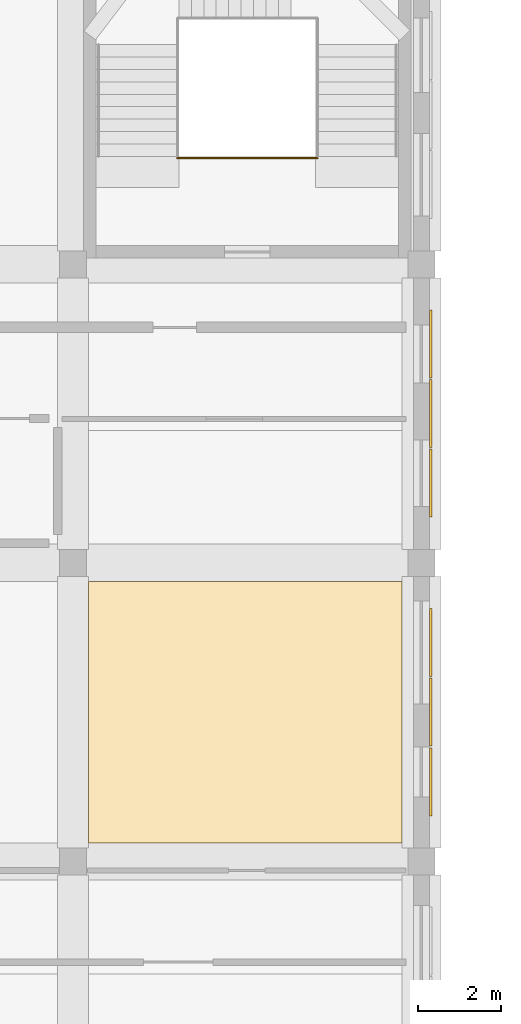
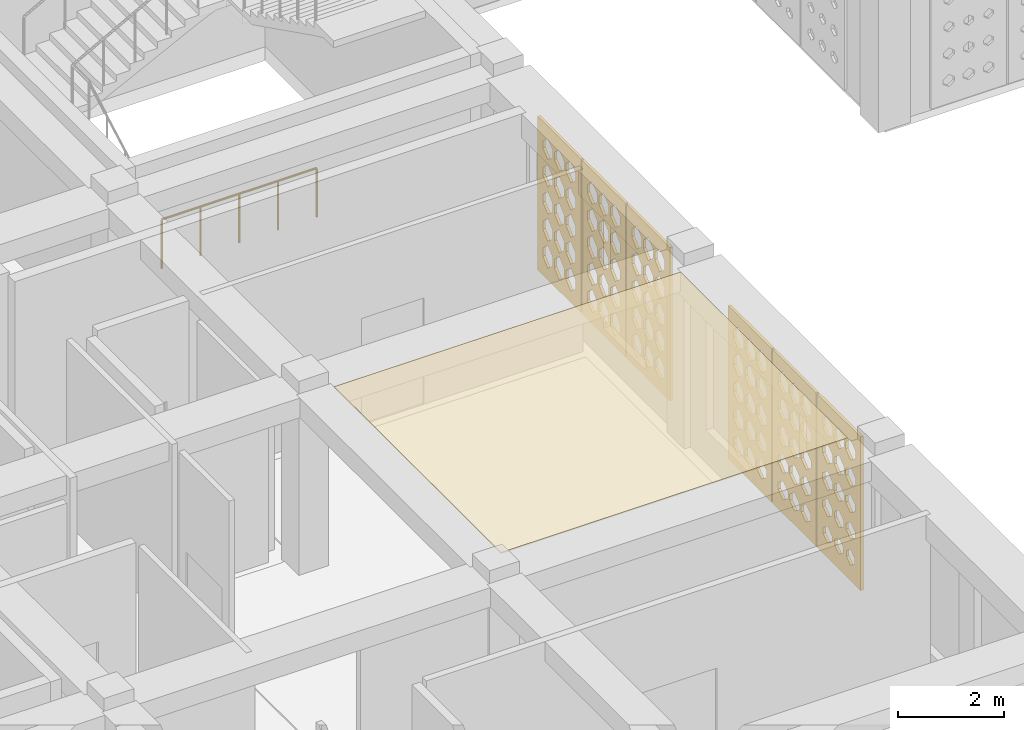
# One storey, part 24 of 47: 7 coverings, 1 railing.
"""IFC4 building model written with IfcOpenShell, lengths in metres."""

from ifc_helpers import new_model, si_unit, derived_unit, direction, frame, origin, origin_2d, place, context, subcontext, project, spatial, polyline, circle, outline, extrude, material, layer, layer_set, type_object, element, save


model = new_model("IFC4")

# Units and contexts
model_context = context("Model", 3, precision=1e-05, world=origin(), true_north=direction((0.0, 1.0)))
body_context = subcontext(model_context, "Body", "Model", "MODEL_VIEW")
ifc_project = project(units=[si_unit("LENGTHUNIT", "METRE"), si_unit("AREAUNIT", "SQUARE_METRE"), si_unit("VOLUMEUNIT", "CUBIC_METRE"), si_unit("PLANEANGLEUNIT", "RADIAN"), si_unit("MASSUNIT", "GRAM", prefix="KILO"), derived_unit("THERMALTRANSMITTANCEUNIT", [(si_unit("POWERUNIT", "WATT"), 1), (si_unit("LENGTHUNIT", "METRE"), -2), (si_unit("THERMODYNAMICTEMPERATUREUNIT", "KELVIN"), -1)])], contexts=[model_context])

# Site, building, storey
site_placement = place(None, origin())
site = spatial("IfcSite", under=ifc_project, at=site_placement, CompositionType="ELEMENT")
building_placement = place(site_placement, origin())
building = spatial("IfcBuilding", under=site, at=building_placement, Name="Veybourne Emporium", CompositionType="ELEMENT")
storey_placement = place(building_placement, frame((0.0, 0.0, 23.39990234375)))
storey = spatial("IfcBuildingStorey", under=building, at=storey_placement, Name="L05", CompositionType="ELEMENT", Elevation=23.39990234375)

# Covering
ifc_material_1 = material(Name="Mineral Acoustic Ceiling", Category="gypsum")
ifc_layer_1 = layer(ifc_material_1, 0.02490234375)
ifc_layer_set_1 = layer_set([ifc_layer_1], Name="Mineral Acoustic Ceiling")
covering_type_1 = type_object("IfcCoveringType", Name="Ceiling_CLG-01", PredefinedType="CEILING", material=ifc_layer_set_1)
covering_1_placement = place(storey_placement, frame((0.0, 0.0, 4.18505859375)))
element("IfcCovering", 1, at=covering_1_placement, inside=storey, type_object=covering_type_1, Name="L05 coffered acoustic ceiling 06", PredefinedType="CEILING", context=body_context, shape_type="SweptSolid", body=[
    extrude(outline(polyline([(42.373046875, 21.152099609375), (49.927001953125, 21.152099609375), (49.927001953125, 14.847900390625), (42.373046875, 14.847900390625), (42.373046875, 21.152099609375)])), origin(), (0.0, 0.0, 1.0), 0.025146484375),
])

# Railing
ifc_material_2 = material(Name="Brushed Stainless Steel", Category="steel")
railing_type = type_object("IfcRailingType", Name="Guard_GR-01", PredefinedType="GUARDRAIL", material=ifc_material_2)
railing_placement = place(storey_placement, frame((44.510009765625, 31.360107421875, 0.0)))
element("IfcRailing", 2, at=railing_placement, inside=storey, type_object=railing_type, Name="L05 ST-05 stair guard 4", PredefinedType="GUARDRAIL", context=body_context, shape_type="SweptSolid", body=[
    extrude(circle(Radius=0.02392578125, at=origin_2d()), frame((0.0, 0.0, 1.1259765625), z_axis=(1.0, 0.0, 0.0), x_axis=(0.0, 1.0, 0.0)), (0.0, 0.0, 1.0), 3.3798828125),
    extrude(circle(Radius=0.02099609375, at=origin_2d()), origin(), (0.0, 0.0, 1.0), 1.101806640625),
    extrude(circle(Radius=0.02099609375, at=origin_2d()), frame((0.844970703125, 0.0, 0.0)), (0.0, 0.0, 1.0), 1.101806640625),
    extrude(circle(Radius=0.02099609375, at=origin_2d()), frame((1.68994140625, 0.0, 0.0)), (0.0, 0.0, 1.0), 1.101806640625),
    extrude(circle(Radius=0.02099609375, at=origin_2d()), frame((2.534912109375, 0.0, 0.0)), (0.0, 0.0, 1.0), 1.101806640625),
    extrude(circle(Radius=0.02099609375, at=origin_2d()), frame((3.3798828125, 0.0, 0.0)), (0.0, 0.0, 1.0), 1.101806640625),
])

# Coverings
ifc_material_3 = material(Name="Warm-White Perforated Aluminium Screen Alloy", Category="aluminium")
ifc_layer_2 = layer(ifc_material_3, 0.06005859375)
ifc_layer_set_2 = layer_set([ifc_layer_2], Name="Warm-White Perforated Aluminium Screen Alloy")
covering_type_2 = type_object("IfcCoveringType", Name="WaveScreen_SCR-01", PredefinedType="CLADDING", material=ifc_layer_set_2)
covering_2_placement = place(storey_placement, frame((50.64794921875, 18.0, 1.830078125), z_axis=(-1.0, 0.0, 0.0), x_axis=(0.0, -1.0, 0.0)))
element("IfcCovering", 3, at=covering_2_placement, inside=storey, type_object=covering_type_2, Name="L05 wave-perforated aluminium screen SCR-01 (29.2)", PredefinedType="CLADDING", context=body_context, shape_type="SweptSolid", body=[
    extrude(outline(polyline([(-0.81982421875, -1.77001953125), (0.81982421875, -1.77001953125), (0.81982421875, 1.77001953125), (-0.81982421875, 1.77001953125), (-0.81982421875, -1.77001953125)]), holes=[polyline([(-0.433349609375, -1.0234375), (-0.2470703125, -1.162109375), (-0.2470703125, -1.318115234375), (-0.433349609375, -1.45654296875), (-0.61962890625, -1.318115234375), (-0.61962890625, -1.162109375), (-0.433349609375, -1.0234375)]), polyline([(-0.433349609375, -0.39013671875), (-0.2470703125, -0.537109375), (-0.2470703125, -0.702880859375), (-0.433349609375, -0.849853515625), (-0.61962890625, -0.702880859375), (-0.61962890625, -0.537109375), (-0.433349609375, -0.39013671875)]), polyline([(-0.433349609375, 0.241943359375), (-0.2470703125, 0.087158203125), (-0.2470703125, -0.087158203125), (-0.433349609375, -0.241943359375), (-0.61962890625, -0.087158203125), (-0.61962890625, 0.087158203125), (-0.433349609375, 0.241943359375)]), polyline([(-0.433349609375, 0.872802734375), (-0.2470703125, 0.7109375), (-0.2470703125, 0.529052734375), (-0.433349609375, 0.3671875), (-0.61962890625, 0.529052734375), (-0.61962890625, 0.7109375), (-0.433349609375, 0.872802734375)]), polyline([(-0.433349609375, 1.50146484375), (-0.2470703125, 1.334228515625), (-0.2470703125, 1.145751953125), (-0.433349609375, 0.978515625), (-0.61962890625, 1.145751953125), (-0.61962890625, 1.334228515625), (-0.433349609375, 1.50146484375)]), polyline([(0.0, -1.029541015625), (0.18212890625, -1.164306640625), (0.18212890625, -1.315673828125), (0.0, -1.450439453125), (-0.18212890625, -1.315673828125), (-0.18212890625, -1.164306640625), (0.0, -1.029541015625)]), polyline([(0.0, -0.39599609375), (0.186279296875, -0.539306640625), (0.186279296875, -0.70068359375), (0.0, -0.843994140625), (-0.186279296875, -0.70068359375), (-0.186279296875, -0.539306640625), (0.0, -0.39599609375)]), polyline([(0.0, 0.23681640625), (0.186279296875, 0.085205078125), (0.186279296875, -0.085205078125), (0.0, -0.23681640625), (-0.186279296875, -0.085205078125), (-0.186279296875, 0.085205078125), (0.0, 0.23681640625)]), polyline([(0.0, 0.8681640625), (0.186279296875, 0.709228515625), (0.186279296875, 0.53076171875), (0.0, 0.371826171875), (-0.186279296875, 0.53076171875), (-0.186279296875, 0.709228515625), (0.0, 0.8681640625)]), polyline([(0.0, 1.497802734375), (0.186279296875, 1.332763671875), (0.186279296875, 1.147216796875), (0.0, 0.982177734375), (-0.186279296875, 1.147216796875), (-0.186279296875, 1.332763671875), (0.0, 1.497802734375)]), polyline([(0.433349609375, -1.035888671875), (0.6103515625, -1.16650390625), (0.6103515625, -1.3134765625), (0.433349609375, -1.444091796875), (0.25634765625, -1.3134765625), (0.25634765625, -1.16650390625), (0.433349609375, -1.035888671875)]), polyline([(0.433349609375, -0.402099609375), (0.61962890625, -0.54150390625), (0.61962890625, -0.698486328125), (0.433349609375, -0.837890625), (0.2470703125, -0.698486328125), (0.2470703125, -0.54150390625), (0.433349609375, -0.402099609375)]), polyline([(0.433349609375, 0.231201171875), (0.61962890625, 0.083251953125), (0.61962890625, -0.083251953125), (0.433349609375, -0.231201171875), (0.2470703125, -0.083251953125), (0.2470703125, 0.083251953125), (0.433349609375, 0.231201171875)]), polyline([(0.433349609375, 0.86328125), (0.61962890625, 0.70751953125), (0.61962890625, 0.532470703125), (0.433349609375, 0.376708984375), (0.2470703125, 0.532470703125), (0.2470703125, 0.70751953125), (0.433349609375, 0.86328125)]), polyline([(0.433349609375, 1.49365234375), (0.61962890625, 1.331298828125), (0.61962890625, 1.148681640625), (0.433349609375, 0.986328125), (0.2470703125, 1.148681640625), (0.2470703125, 1.331298828125), (0.433349609375, 1.49365234375)])]), origin(), (0.0, 0.0, 1.0), 0.06005859375),
])
covering_3_placement = place(storey_placement, frame((50.64794921875, 26.8798828125, 1.830078125), z_axis=(-1.0, 0.0, 0.0), x_axis=(0.0, -1.0, 0.0)))
element("IfcCovering", 4, at=covering_3_placement, inside=storey, type_object=covering_type_2, Name="L05 wave-perforated aluminium screen SCR-01 (30.1)", PredefinedType="CLADDING", context=body_context, shape_type="SweptSolid", body=[
    extrude(outline(polyline([(-0.81982421875, -1.77001953125), (0.81982421875, -1.77001953125), (0.81982421875, 1.77001953125), (-0.81982421875, 1.77001953125), (-0.81982421875, -1.77001953125)]), holes=[polyline([(-0.433349609375, -0.973388671875), (-0.2470703125, -1.14404296875), (-0.2470703125, -1.3359375), (-0.433349609375, -1.506591796875), (-0.61962890625, -1.3359375), (-0.61962890625, -1.14404296875), (-0.433349609375, -0.973388671875)]), polyline([(-0.433349609375, -0.35498046875), (-0.2470703125, -0.524658203125), (-0.2470703125, -0.71533203125), (-0.433349609375, -0.885009765625), (-0.61962890625, -0.71533203125), (-0.61962890625, -0.524658203125), (-0.433349609375, -0.35498046875)]), polyline([(-0.433349609375, 0.257080078125), (-0.2470703125, 0.092529296875), (-0.2470703125, -0.092529296875), (-0.433349609375, -0.257080078125), (-0.61962890625, -0.092529296875), (-0.61962890625, 0.092529296875), (-0.433349609375, 0.257080078125)]), polyline([(-0.433349609375, 0.8671875), (-0.2470703125, 0.708984375), (-0.2470703125, 0.531005859375), (-0.433349609375, 0.372802734375), (-0.61962890625, 0.531005859375), (-0.61962890625, 0.708984375), (-0.433349609375, 0.8671875)]), polyline([(-0.433349609375, 1.475830078125), (-0.2470703125, 1.324951171875), (-0.2470703125, 1.155029296875), (-0.433349609375, 1.004150390625), (-0.61962890625, 1.155029296875), (-0.61962890625, 1.324951171875), (-0.433349609375, 1.475830078125)]), polyline([(0.0, -0.973388671875), (0.186279296875, -1.14404296875), (0.186279296875, -1.3359375), (0.0, -1.506591796875), (-0.186279296875, -1.3359375), (-0.186279296875, -1.14404296875), (0.0, -0.973388671875)]), polyline([(0.0, -0.353515625), (0.186279296875, -0.52392578125), (0.186279296875, -0.716064453125), (0.0, -0.88671875), (-0.186279296875, -0.716064453125), (-0.186279296875, -0.52392578125), (0.0, -0.353515625)]), polyline([(0.0, 0.260986328125), (0.186279296875, 0.093994140625), (0.186279296875, -0.093994140625), (0.0, -0.260986328125), (-0.186279296875, -0.093994140625), (-0.186279296875, 0.093994140625), (0.0, 0.260986328125)]), polyline([(0.0, 0.871826171875), (0.186279296875, 0.710693359375), (0.186279296875, 0.529296875), (0.0, 0.3681640625), (-0.186279296875, 0.529296875), (-0.186279296875, 0.710693359375), (0.0, 0.871826171875)]), polyline([(0.0, 1.481201171875), (0.186279296875, 1.326904296875), (0.186279296875, 1.1533203125), (0.0, 0.998779296875), (-0.186279296875, 1.1533203125), (-0.186279296875, 1.326904296875), (0.0, 1.481201171875)]), polyline([(0.433349609375, -0.973388671875), (0.61962890625, -1.14404296875), (0.61962890625, -1.3359375), (0.433349609375, -1.506591796875), (0.2470703125, -1.3359375), (0.2470703125, -1.14404296875), (0.433349609375, -0.973388671875)]), polyline([(0.433349609375, -0.353515625), (0.61962890625, -0.52392578125), (0.61962890625, -0.716064453125), (0.433349609375, -0.88671875), (0.2470703125, -0.716064453125), (0.2470703125, -0.52392578125), (0.433349609375, -0.353515625)]), polyline([(0.433349609375, 0.264404296875), (0.61962890625, 0.09521484375), (0.61962890625, -0.09521484375), (0.433349609375, -0.264404296875), (0.2470703125, -0.09521484375), (0.2470703125, 0.09521484375), (0.433349609375, 0.264404296875)]), polyline([(0.433349609375, 0.876220703125), (0.61962890625, 0.712158203125), (0.61962890625, 0.52783203125), (0.433349609375, 0.36376953125), (0.2470703125, 0.52783203125), (0.2470703125, 0.712158203125), (0.433349609375, 0.876220703125)]), polyline([(0.433349609375, 1.486083984375), (0.61962890625, 1.32861328125), (0.61962890625, 1.1513671875), (0.433349609375, 0.993896484375), (0.2470703125, 1.1513671875), (0.2470703125, 1.32861328125), (0.433349609375, 1.486083984375)])]), origin(), (0.0, 0.0, 1.0), 0.06005859375),
])
ifc_layer_3 = layer(ifc_material_3, 0.06005859375)
ifc_layer_set_3 = layer_set([ifc_layer_3], Name="Warm-White Perforated Aluminium Screen Alloy")
covering_type_3 = type_object("IfcCoveringType", Name="WaveScreen_SCR-02", PredefinedType="CLADDING", material=ifc_layer_set_3)
covering_4_placement = place(storey_placement, frame((50.64794921875, 16.320068359375, 1.830078125), z_axis=(-1.0, 0.0, 0.0), x_axis=(0.0, -1.0, 0.0)))
element("IfcCovering", 5, at=covering_4_placement, inside=storey, type_object=covering_type_3, Name="L05 wave-perforated aluminium screen SCR-02 (29.3)", PredefinedType="CLADDING", context=body_context, shape_type="SweptSolid", body=[
    extrude(outline(polyline([(-0.81982421875, -1.77001953125), (0.81982421875, -1.77001953125), (0.81982421875, 1.77001953125), (-0.81982421875, 1.77001953125), (-0.81982421875, -1.77001953125)]), holes=[polyline([(-0.433349609375, -1.048095703125), (-0.26611328125, -1.1708984375), (-0.26611328125, -1.30908203125), (-0.433349609375, -1.431884765625), (-0.6005859375, -1.30908203125), (-0.6005859375, -1.1708984375), (-0.433349609375, -1.048095703125)]), polyline([(-0.433349609375, -0.413818359375), (-0.25439453125, -0.545654296875), (-0.25439453125, -0.6943359375), (-0.433349609375, -0.826416015625), (-0.612060546875, -0.6943359375), (-0.612060546875, -0.545654296875), (-0.433349609375, -0.413818359375)]), polyline([(-0.433349609375, 0.22021484375), (-0.2470703125, 0.079345703125), (-0.2470703125, -0.079345703125), (-0.433349609375, -0.22021484375), (-0.61962890625, -0.079345703125), (-0.61962890625, 0.079345703125), (-0.433349609375, 0.22021484375)]), polyline([(-0.433349609375, 0.853271484375), (-0.2470703125, 0.703857421875), (-0.2470703125, 0.5361328125), (-0.433349609375, 0.38671875), (-0.61962890625, 0.5361328125), (-0.61962890625, 0.703857421875), (-0.433349609375, 0.853271484375)]), polyline([(-0.433349609375, 1.48486328125), (-0.2470703125, 1.328125), (-0.2470703125, 1.15185546875), (-0.433349609375, 0.9951171875), (-0.61962890625, 1.15185546875), (-0.61962890625, 1.328125), (-0.433349609375, 1.48486328125)]), polyline([(0.0, -1.054443359375), (0.161865234375, -1.173095703125), (0.161865234375, -1.306884765625), (0.0, -1.425537109375), (-0.161865234375, -1.306884765625), (-0.161865234375, -1.173095703125), (0.0, -1.054443359375)]), polyline([(0.0, -0.420166015625), (0.173583984375, -0.548095703125), (0.173583984375, -0.69189453125), (0.0, -0.81982421875), (-0.173583984375, -0.69189453125), (-0.173583984375, -0.548095703125), (0.0, -0.420166015625)]), polyline([(0.0, 0.214111328125), (0.18505859375, 0.076904296875), (0.18505859375, -0.076904296875), (0.0, -0.214111328125), (-0.18505859375, -0.076904296875), (-0.18505859375, 0.076904296875), (0.0, 0.214111328125)]), polyline([(0.0, 0.847412109375), (0.186279296875, 0.701904296875), (0.186279296875, 0.5380859375), (0.0, 0.392578125), (-0.186279296875, 0.5380859375), (-0.186279296875, 0.701904296875), (0.0, 0.847412109375)]), polyline([(0.0, 1.479736328125), (0.186279296875, 1.326416015625), (0.186279296875, 1.15380859375), (0.0, 1.000244140625), (-0.186279296875, 1.15380859375), (-0.186279296875, 1.326416015625), (0.0, 1.479736328125)]), polyline([(0.433349609375, -1.060791015625), (0.590087890625, -1.175537109375), (0.590087890625, -1.304443359375), (0.433349609375, -1.419189453125), (0.276611328125, -1.304443359375), (0.276611328125, -1.175537109375), (0.433349609375, -1.060791015625)]), polyline([(0.433349609375, -0.426513671875), (0.6015625, -0.55029296875), (0.6015625, -0.689697265625), (0.433349609375, -0.8134765625), (0.264892578125, -0.689697265625), (0.264892578125, -0.55029296875), (0.433349609375, -0.426513671875)]), polyline([(0.433349609375, 0.207763671875), (0.61328125, 0.07470703125), (0.61328125, -0.07470703125), (0.433349609375, -0.207763671875), (0.25341796875, -0.07470703125), (0.25341796875, 0.07470703125), (0.433349609375, 0.207763671875)]), polyline([(0.433349609375, 0.841552734375), (0.61962890625, 0.69970703125), (0.61962890625, 0.540283203125), (0.433349609375, 0.3984375), (0.2470703125, 0.540283203125), (0.2470703125, 0.69970703125), (0.433349609375, 0.841552734375)]), polyline([(0.433349609375, 1.474365234375), (0.61962890625, 1.324462890625), (0.61962890625, 1.155517578125), (0.433349609375, 1.005615234375), (0.2470703125, 1.155517578125), (0.2470703125, 1.324462890625), (0.433349609375, 1.474365234375)])]), origin(), (0.0, 0.0, 1.0), 0.06005859375),
])
covering_5_placement = place(storey_placement, frame((50.64794921875, 25.199951171875, 1.830078125), z_axis=(-1.0, 0.0, 0.0), x_axis=(0.0, -1.0, 0.0)))
element("IfcCovering", 6, at=covering_5_placement, inside=storey, type_object=covering_type_3, Name="L05 wave-perforated aluminium screen SCR-02 (30.2)", PredefinedType="CLADDING", context=body_context, shape_type="SweptSolid", body=[
    extrude(outline(polyline([(-0.81982421875, -1.77001953125), (0.81982421875, -1.77001953125), (0.81982421875, 1.77001953125), (-0.81982421875, 1.77001953125), (-0.81982421875, -1.77001953125)]), holes=[polyline([(-0.433349609375, -0.973388671875), (-0.2470703125, -1.14404296875), (-0.2470703125, -1.3359375), (-0.433349609375, -1.506591796875), (-0.61962890625, -1.3359375), (-0.61962890625, -1.14404296875), (-0.433349609375, -0.973388671875)]), polyline([(-0.433349609375, -0.353515625), (-0.2470703125, -0.52392578125), (-0.2470703125, -0.716064453125), (-0.433349609375, -0.88671875), (-0.61962890625, -0.716064453125), (-0.61962890625, -0.52392578125), (-0.433349609375, -0.353515625)]), polyline([(-0.433349609375, 0.2666015625), (-0.2470703125, 0.095947265625), (-0.2470703125, -0.095947265625), (-0.433349609375, -0.2666015625), (-0.61962890625, -0.095947265625), (-0.61962890625, 0.095947265625), (-0.433349609375, 0.2666015625)]), polyline([(-0.433349609375, 0.883056640625), (-0.2470703125, 0.714599609375), (-0.2470703125, 0.525390625), (-0.433349609375, 0.35693359375), (-0.61962890625, 0.525390625), (-0.61962890625, 0.714599609375), (-0.433349609375, 0.883056640625)]), polyline([(-0.433349609375, 1.49462890625), (-0.2470703125, 1.331787109375), (-0.2470703125, 1.148193359375), (-0.433349609375, 0.9853515625), (-0.61962890625, 1.148193359375), (-0.61962890625, 1.331787109375), (-0.433349609375, 1.49462890625)]), polyline([(0.0, -0.973388671875), (0.186279296875, -1.14404296875), (0.186279296875, -1.3359375), (0.0, -1.506591796875), (-0.186279296875, -1.3359375), (-0.186279296875, -1.14404296875), (0.0, -0.973388671875)]), polyline([(0.0, -0.353515625), (0.186279296875, -0.52392578125), (0.186279296875, -0.716064453125), (0.0, -0.88671875), (-0.186279296875, -0.716064453125), (-0.186279296875, -0.52392578125), (0.0, -0.353515625)]), polyline([(0.0, 0.2666015625), (0.186279296875, 0.095947265625), (0.186279296875, -0.095947265625), (0.0, -0.2666015625), (-0.186279296875, -0.095947265625), (-0.186279296875, 0.095947265625), (0.0, 0.2666015625)]), polyline([(0.0, 0.88623046875), (0.186279296875, 0.7158203125), (0.186279296875, 0.524169921875), (0.0, 0.353759765625), (-0.186279296875, 0.524169921875), (-0.186279296875, 0.7158203125), (0.0, 0.88623046875)]), polyline([(0.0, 1.498779296875), (0.186279296875, 1.3330078125), (0.186279296875, 1.14697265625), (0.0, 0.981201171875), (-0.186279296875, 1.14697265625), (-0.186279296875, 1.3330078125), (0.0, 1.498779296875)]), polyline([(0.433349609375, -0.973388671875), (0.61962890625, -1.14404296875), (0.61962890625, -1.3359375), (0.433349609375, -1.506591796875), (0.2470703125, -1.3359375), (0.2470703125, -1.14404296875), (0.433349609375, -0.973388671875)]), polyline([(0.433349609375, -0.353515625), (0.61962890625, -0.52392578125), (0.61962890625, -0.716064453125), (0.433349609375, -0.88671875), (0.2470703125, -0.716064453125), (0.2470703125, -0.52392578125), (0.433349609375, -0.353515625)]), polyline([(0.433349609375, 0.2666015625), (0.61962890625, 0.095947265625), (0.61962890625, -0.095947265625), (0.433349609375, -0.2666015625), (0.2470703125, -0.095947265625), (0.2470703125, 0.095947265625), (0.433349609375, 0.2666015625)]), polyline([(0.433349609375, 0.88671875), (0.61962890625, 0.716064453125), (0.61962890625, 0.52392578125), (0.433349609375, 0.353515625), (0.2470703125, 0.52392578125), (0.2470703125, 0.716064453125), (0.433349609375, 0.88671875)]), polyline([(0.433349609375, 1.50244140625), (0.61962890625, 1.33447265625), (0.61962890625, 1.1455078125), (0.433349609375, 0.9775390625), (0.2470703125, 1.1455078125), (0.2470703125, 1.33447265625), (0.433349609375, 1.50244140625)])]), origin(), (0.0, 0.0, 1.0), 0.06005859375),
])
ifc_layer_4 = layer(ifc_material_3, 0.06005859375)
ifc_layer_set_4 = layer_set([ifc_layer_4], Name="Warm-White Perforated Aluminium Screen Alloy")
covering_type_4 = type_object("IfcCoveringType", Name="WaveScreen_SCR-03", PredefinedType="CLADDING", material=ifc_layer_set_4)
covering_6_placement = place(storey_placement, frame((50.64794921875, 23.52001953125, 1.830078125), z_axis=(-1.0, 0.0, 0.0), x_axis=(0.0, -1.0, 0.0)))
element("IfcCovering", 7, at=covering_6_placement, inside=storey, type_object=covering_type_4, Name="L05 wave-perforated aluminium screen SCR-03 (30.3)", PredefinedType="CLADDING", context=body_context, shape_type="SweptSolid", body=[
    extrude(outline(polyline([(-0.81982421875, -1.77001953125), (0.81982421875, -1.77001953125), (0.81982421875, 1.77001953125), (-0.81982421875, 1.77001953125), (-0.81982421875, -1.77001953125)]), holes=[polyline([(-0.433349609375, -0.973388671875), (-0.2470703125, -1.14404296875), (-0.2470703125, -1.3359375), (-0.433349609375, -1.506591796875), (-0.61962890625, -1.3359375), (-0.61962890625, -1.14404296875), (-0.433349609375, -0.973388671875)]), polyline([(-0.433349609375, -0.353515625), (-0.2470703125, -0.52392578125), (-0.2470703125, -0.716064453125), (-0.433349609375, -0.88671875), (-0.61962890625, -0.716064453125), (-0.61962890625, -0.52392578125), (-0.433349609375, -0.353515625)]), polyline([(-0.433349609375, 0.2666015625), (-0.2470703125, 0.095947265625), (-0.2470703125, -0.095947265625), (-0.433349609375, -0.2666015625), (-0.61962890625, -0.095947265625), (-0.61962890625, 0.095947265625), (-0.433349609375, 0.2666015625)]), polyline([(-0.433349609375, 0.88671875), (-0.2470703125, 0.716064453125), (-0.2470703125, 0.52392578125), (-0.433349609375, 0.353515625), (-0.61962890625, 0.52392578125), (-0.61962890625, 0.716064453125), (-0.433349609375, 0.88671875)]), polyline([(-0.433349609375, 1.506591796875), (-0.2470703125, 1.3359375), (-0.2470703125, 1.14404296875), (-0.433349609375, 0.973388671875), (-0.61962890625, 1.14404296875), (-0.61962890625, 1.3359375), (-0.433349609375, 1.506591796875)]), polyline([(0.0, -0.973388671875), (0.186279296875, -1.14404296875), (0.186279296875, -1.3359375), (0.0, -1.506591796875), (-0.186279296875, -1.3359375), (-0.186279296875, -1.14404296875), (0.0, -0.973388671875)]), polyline([(0.0, -0.353515625), (0.186279296875, -0.52392578125), (0.186279296875, -0.716064453125), (0.0, -0.88671875), (-0.186279296875, -0.716064453125), (-0.186279296875, -0.52392578125), (0.0, -0.353515625)]), polyline([(0.0, 0.2666015625), (0.186279296875, 0.095947265625), (0.186279296875, -0.095947265625), (0.0, -0.2666015625), (-0.186279296875, -0.095947265625), (-0.186279296875, 0.095947265625), (0.0, 0.2666015625)]), polyline([(0.0, 0.88671875), (0.186279296875, 0.716064453125), (0.186279296875, 0.52392578125), (0.0, 0.353515625), (-0.186279296875, 0.52392578125), (-0.186279296875, 0.716064453125), (0.0, 0.88671875)]), polyline([(0.0, 1.506591796875), (0.186279296875, 1.3359375), (0.186279296875, 1.14404296875), (0.0, 0.973388671875), (-0.186279296875, 1.14404296875), (-0.186279296875, 1.3359375), (0.0, 1.506591796875)]), polyline([(0.433349609375, -0.973388671875), (0.61962890625, -1.14404296875), (0.61962890625, -1.3359375), (0.433349609375, -1.506591796875), (0.2470703125, -1.3359375), (0.2470703125, -1.14404296875), (0.433349609375, -0.973388671875)]), polyline([(0.433349609375, -0.353515625), (0.61962890625, -0.52392578125), (0.61962890625, -0.716064453125), (0.433349609375, -0.88671875), (0.2470703125, -0.716064453125), (0.2470703125, -0.52392578125), (0.433349609375, -0.353515625)]), polyline([(0.433349609375, 0.2666015625), (0.61962890625, 0.095947265625), (0.61962890625, -0.095947265625), (0.433349609375, -0.2666015625), (0.2470703125, -0.095947265625), (0.2470703125, 0.095947265625), (0.433349609375, 0.2666015625)]), polyline([(0.433349609375, 0.88671875), (0.61962890625, 0.716064453125), (0.61962890625, 0.52392578125), (0.433349609375, 0.353515625), (0.2470703125, 0.52392578125), (0.2470703125, 0.716064453125), (0.433349609375, 0.88671875)]), polyline([(0.433349609375, 1.506591796875), (0.61962890625, 1.3359375), (0.61962890625, 1.14404296875), (0.433349609375, 0.973388671875), (0.2470703125, 1.14404296875), (0.2470703125, 1.3359375), (0.433349609375, 1.506591796875)])]), origin(), (0.0, 0.0, 1.0), 0.06005859375),
])
ifc_layer_5 = layer(ifc_material_3, 0.06005859375)
ifc_layer_set_5 = layer_set([ifc_layer_5], Name="Warm-White Perforated Aluminium Screen Alloy")
covering_type_5 = type_object("IfcCoveringType", Name="WaveScreen_SCR-04", PredefinedType="CLADDING", material=ifc_layer_set_5)
covering_7_placement = place(storey_placement, frame((50.64794921875, 19.679931640625, 1.830078125), z_axis=(-1.0, 0.0, 0.0), x_axis=(0.0, -1.0, 0.0)))
element("IfcCovering", 8, at=covering_7_placement, inside=storey, type_object=covering_type_5, Name="L05 wave-perforated aluminium screen SCR-04 (29.1)", PredefinedType="CLADDING", context=body_context, shape_type="SweptSolid", body=[
    extrude(outline(polyline([(-0.81982421875, -1.77001953125), (0.81982421875, -1.77001953125), (0.81982421875, 1.77001953125), (-0.81982421875, 1.77001953125), (-0.81982421875, -1.77001953125)]), holes=[polyline([(-0.433349609375, -1.0009765625), (-0.2470703125, -1.15380859375), (-0.2470703125, -1.326171875), (-0.433349609375, -1.47900390625), (-0.61962890625, -1.326171875), (-0.61962890625, -1.15380859375), (-0.433349609375, -1.0009765625)]), polyline([(-0.433349609375, -0.369873046875), (-0.2470703125, -0.530029296875), (-0.2470703125, -0.7099609375), (-0.433349609375, -0.8701171875), (-0.61962890625, -0.7099609375), (-0.61962890625, -0.530029296875), (-0.433349609375, -0.369873046875)]), polyline([(-0.433349609375, 0.259521484375), (-0.2470703125, 0.093505859375), (-0.2470703125, -0.093505859375), (-0.433349609375, -0.259521484375), (-0.61962890625, -0.093505859375), (-0.61962890625, 0.093505859375), (-0.433349609375, 0.259521484375)]), polyline([(-0.433349609375, 0.88671875), (-0.2470703125, 0.716064453125), (-0.2470703125, 0.52392578125), (-0.433349609375, 0.353515625), (-0.61962890625, 0.52392578125), (-0.61962890625, 0.716064453125), (-0.433349609375, 0.88671875)]), polyline([(-0.433349609375, 1.506591796875), (-0.2470703125, 1.3359375), (-0.2470703125, 1.14404296875), (-0.433349609375, 0.973388671875), (-0.61962890625, 1.14404296875), (-0.61962890625, 1.3359375), (-0.433349609375, 1.506591796875)]), polyline([(0.0, -1.00634765625), (0.186279296875, -1.156005859375), (0.186279296875, -1.32421875), (0.0, -1.4736328125), (-0.186279296875, -1.32421875), (-0.186279296875, -1.156005859375), (0.0, -1.00634765625)]), polyline([(0.0, -0.374755859375), (0.186279296875, -0.53173828125), (0.186279296875, -0.708251953125), (0.0, -0.865234375), (-0.186279296875, -0.708251953125), (-0.186279296875, -0.53173828125), (0.0, -0.374755859375)]), polyline([(0.0, 0.255615234375), (0.186279296875, 0.092041015625), (0.186279296875, -0.092041015625), (0.0, -0.255615234375), (-0.186279296875, -0.092041015625), (-0.186279296875, 0.092041015625), (0.0, 0.255615234375)]), polyline([(0.0, 0.8837890625), (0.186279296875, 0.71484375), (0.186279296875, 0.525146484375), (0.0, 0.356201171875), (-0.186279296875, 0.525146484375), (-0.186279296875, 0.71484375), (0.0, 0.8837890625)]), polyline([(0.0, 1.506591796875), (0.186279296875, 1.3359375), (0.186279296875, 1.14404296875), (0.0, 0.973388671875), (-0.186279296875, 1.14404296875), (-0.186279296875, 1.3359375), (0.0, 1.506591796875)]), polyline([(0.433349609375, -1.01220703125), (0.61962890625, -1.157958984375), (0.61962890625, -1.322021484375), (0.433349609375, -1.468017578125), (0.2470703125, -1.322021484375), (0.2470703125, -1.157958984375), (0.433349609375, -1.01220703125)]), polyline([(0.433349609375, -0.3798828125), (0.61962890625, -0.533447265625), (0.61962890625, -0.70654296875), (0.433349609375, -0.860107421875), (0.2470703125, -0.70654296875), (0.2470703125, -0.533447265625), (0.433349609375, -0.3798828125)]), polyline([(0.433349609375, 0.251220703125), (0.61962890625, 0.09033203125), (0.61962890625, -0.09033203125), (0.433349609375, -0.251220703125), (0.2470703125, -0.09033203125), (0.2470703125, 0.09033203125), (0.433349609375, 0.251220703125)]), polyline([(0.433349609375, 0.88037109375), (0.61962890625, 0.713623046875), (0.61962890625, 0.5263671875), (0.433349609375, 0.359619140625), (0.2470703125, 0.5263671875), (0.2470703125, 0.713623046875), (0.433349609375, 0.88037109375)]), polyline([(0.433349609375, 1.506591796875), (0.61962890625, 1.3359375), (0.61962890625, 1.14404296875), (0.433349609375, 0.973388671875), (0.2470703125, 1.14404296875), (0.2470703125, 1.3359375), (0.433349609375, 1.506591796875)])]), origin(), (0.0, 0.0, 1.0), 0.06005859375),
])

save(model, "model.ifc")
